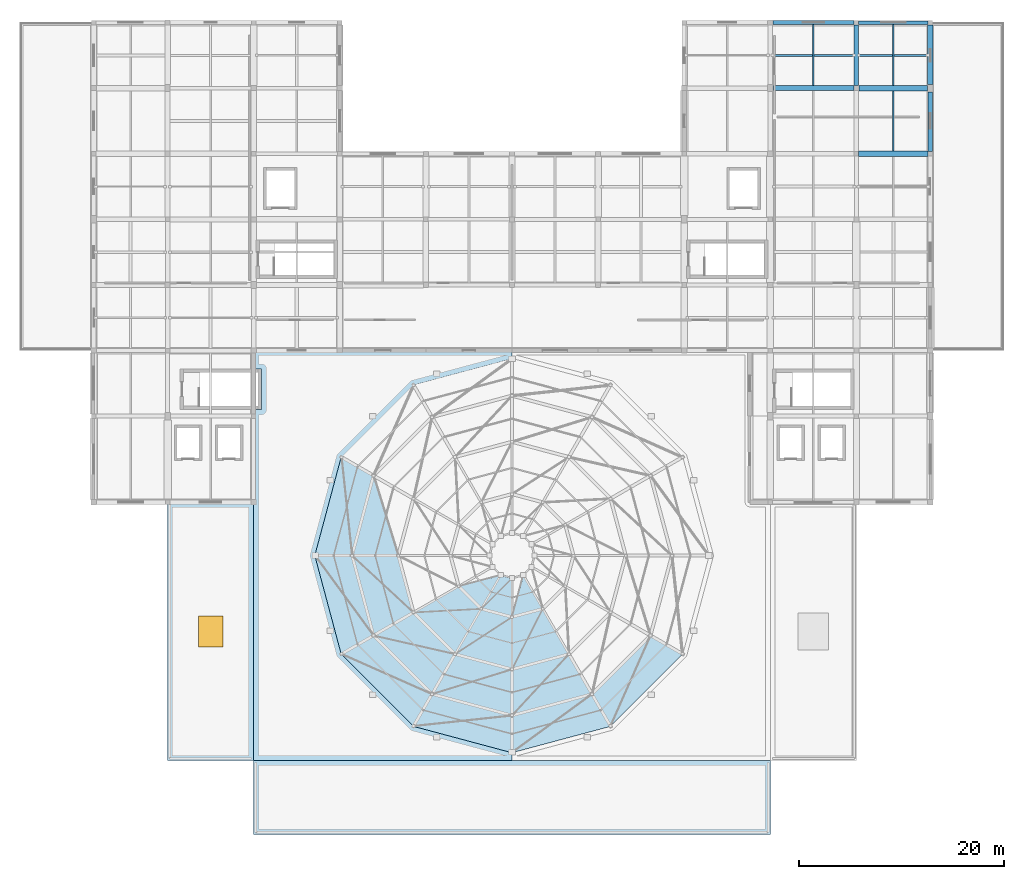
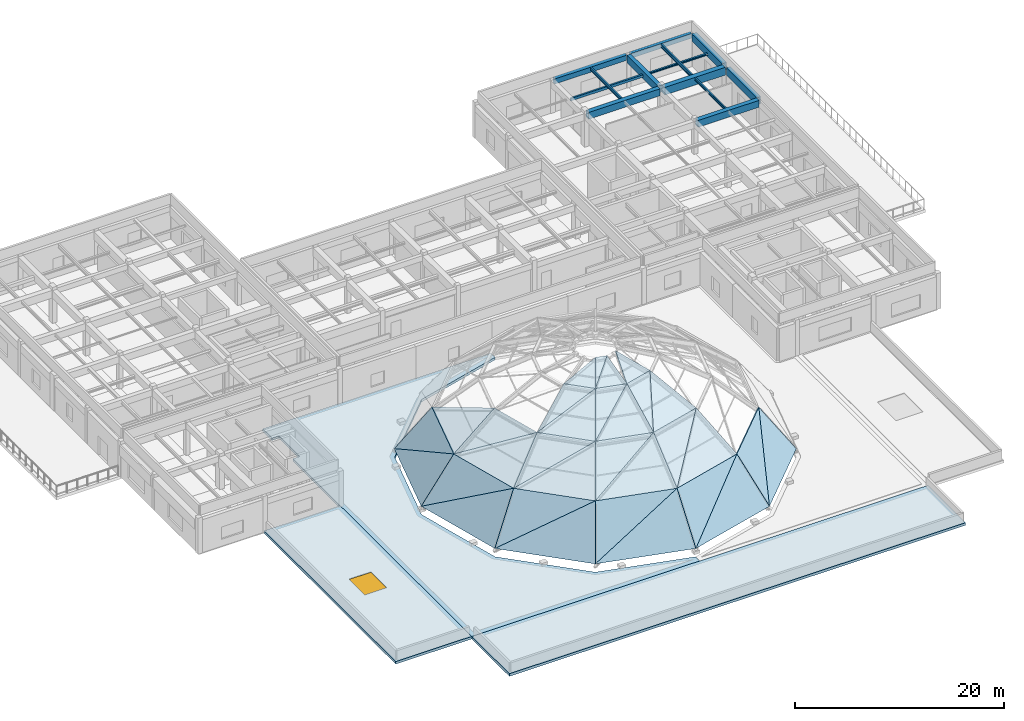
# One storey, part 8 of 18: 34 slabs, 11 beams, 2 members, 1 window, 1 opening.
"""IFC4 building model written with IfcOpenShell, lengths in metres."""

from ifc_helpers import new_model, si_unit, direction, frame, origin, origin_2d, place, context, subcontext, project, spatial, polyline, rectangle, hollow_rectangle, i_section, outline, extrude, material, layer, layer_set, material_profile, profile_set, type_object, element, fill, save


model = new_model("IFC4")

# Units and contexts
model_context = context("Model", 3, precision=1e-05, world=origin(), true_north=direction((0.0, 1.0)))
body_context = subcontext(model_context, "Body", "Model", "MODEL_VIEW")
ifc_project = project(units=[si_unit("LENGTHUNIT", "METRE"), si_unit("AREAUNIT", "SQUARE_METRE"), si_unit("VOLUMEUNIT", "CUBIC_METRE"), si_unit("PLANEANGLEUNIT", "RADIAN"), si_unit("MASSUNIT", "GRAM", prefix="KILO")], contexts=[model_context])

# Site, building, storey
site_placement = place(None, origin())
site = spatial("IfcSite", under=ifc_project, at=site_placement, CompositionType="ELEMENT")
building_placement = place(site_placement, origin())
building = spatial("IfcBuilding", under=site, at=building_placement, Name="Korsvaeld Concert Hall", CompositionType="ELEMENT")
storey_placement = place(building_placement, frame((0.0, 0.0, 17.39990234375)))
storey = spatial("IfcBuildingStorey", under=building, at=storey_placement, Name="L04", CompositionType="ELEMENT", Elevation=17.39990234375)

# Beams
ifc_material_1 = material(Name="Concrete C40/50", Category="concrete")
ifc_material_profile_1 = material_profile(ifc_material_1, rectangle(XDim=0.449951171875, YDim=0.85009765625, at=origin_2d()), Name="RC 450x850")
ifc_profile_set_1 = profile_set([ifc_material_profile_1], Name="Concrete C40/50")
beam_type_1 = type_object("IfcBeamType", Name="BM-RC-450x850", PredefinedType="T_BEAM", material=ifc_profile_set_1)
beam_1_placement = place(storey_placement, frame((117.60009765625, 109.050048828125, 3.4150390625), z_axis=(0.0, 1.0, 0.0), x_axis=(-1.0, 0.0, 0.0)))
element("IfcBeam", 1, at=beam_1_placement, inside=storey, type_object=beam_type_1, Name="Primary girder 16/R-S L04", PredefinedType="T_BEAM", context=body_context, shape_type="SweptSolid", body=[
    extrude(rectangle(XDim=0.449951171875, YDim=0.85009765625, at=origin_2d()), origin(), (0.0, 0.0, 1.0), 5.925048828125),
])
beam_2_placement = place(storey_placement, frame((124.800048828125, 102.625, 3.4150390625), z_axis=(0.0, 1.0, 0.0), x_axis=(-1.0, 0.0, 0.0)))
element("IfcBeam", 2, at=beam_2_placement, inside=storey, type_object=beam_type_1, Name="Primary girder 17/Q-R L04", PredefinedType="T_BEAM", context=body_context, shape_type="SweptSolid", body=[
    extrude(rectangle(XDim=0.449951171875, YDim=0.85009765625, at=origin_2d()), origin(), (0.0, 0.0, 1.0), 5.800048828125),
])
ifc_material_profile_2 = material_profile(ifc_material_1, rectangle(XDim=0.5, YDim=0.800048828125, at=origin_2d()), Name="RC 500x800")
ifc_profile_set_2 = profile_set([ifc_material_profile_2], Name="Concrete C40/50")
beam_type_2 = type_object("IfcBeamType", Name="BM-RC-500x800", PredefinedType="T_BEAM", material=ifc_profile_set_2)
beam_3_placement = place(storey_placement, frame((117.824951171875, 102.39990234375, 3.440185546875), z_axis=(1.0, 0.0, 0.0), x_axis=(0.0, 1.0, 0.0)))
element("IfcBeam", 3, at=beam_3_placement, inside=storey, type_object=beam_type_2, Name="Primary girder 16-17/Q L04", PredefinedType="T_BEAM", context=body_context, shape_type="SweptSolid", body=[
    extrude(rectangle(XDim=0.5, YDim=0.800048828125, at=origin_2d()), origin(), (0.0, 0.0, 1.0), 6.75),
])
beam_4_placement = place(storey_placement, frame((109.449951171875, 108.800048828125, 3.440185546875), z_axis=(1.0, 0.0, 0.0), x_axis=(0.0, 1.0, 0.0)))
element("IfcBeam", 4, at=beam_4_placement, inside=storey, type_object=beam_type_2, Name="Primary girder 15-16/R L04", PredefinedType="T_BEAM", context=body_context, shape_type="SweptSolid", body=[
    extrude(rectangle(XDim=0.5, YDim=0.800048828125, at=origin_2d()), origin(), (0.0, 0.0, 1.0), 7.900146484375),
])
ifc_material_profile_3 = material_profile(ifc_material_1, rectangle(XDim=0.5, YDim=0.85009765625, at=origin_2d()), Name="RC 500x850")
ifc_profile_set_3 = profile_set([ifc_material_profile_3], Name="Concrete C40/50")
beam_type_3 = type_object("IfcBeamType", Name="BM-RC-500x850", PredefinedType="T_BEAM", material=ifc_profile_set_3)
beam_5_placement = place(storey_placement, frame((124.800048828125, 109.175048828125, 3.4150390625), z_axis=(0.0, 1.0, 0.0), x_axis=(-1.0, 0.0, 0.0)))
element("IfcBeam", 5, at=beam_5_placement, inside=storey, type_object=beam_type_3, Name="Primary girder 17/R-S L04", PredefinedType="T_BEAM", context=body_context, shape_type="SweptSolid", body=[
    extrude(rectangle(XDim=0.5, YDim=0.85009765625, at=origin_2d()), origin(), (0.0, 0.0, 1.0), 5.800048828125),
])
ifc_material_profile_4 = material_profile(ifc_material_1, rectangle(XDim=0.550048828125, YDim=0.89990234375, at=origin_2d()), Name="RC 550x900")
ifc_profile_set_4 = profile_set([ifc_material_profile_4], Name="Concrete C40/50")
beam_type_4 = type_object("IfcBeamType", Name="BM-RC-550x900", PredefinedType="T_BEAM", material=ifc_profile_set_4)
beam_6_placement = place(storey_placement, frame((117.85009765625, 108.800048828125, 3.39013671875), z_axis=(1.0, 0.0, 0.0), x_axis=(0.0, 1.0, 0.0)))
element("IfcBeam", 6, at=beam_6_placement, inside=storey, type_object=beam_type_4, Name="Primary girder 16-17/R L04", PredefinedType="T_BEAM", context=body_context, shape_type="SweptSolid", body=[
    extrude(rectangle(XDim=0.550048828125, YDim=0.89990234375, at=origin_2d()), origin(), (0.0, 0.0, 1.0), 6.6748046875),
])
ifc_material_2 = material(Name="Concrete C35/45", Category="concrete")
ifc_material_profile_5 = material_profile(ifc_material_2, rectangle(XDim=0.35009765625, YDim=0.550048828125, at=origin_2d()), Name="RC 350x550")
ifc_profile_set_5 = profile_set([ifc_material_profile_5], Name="Concrete C35/45")
beam_type_5 = type_object("IfcBeamType", Name="BM-SP-350x550", PredefinedType="SPANDREL", material=ifc_profile_set_5)
beam_7_placement = place(storey_placement, frame((117.824951171875, 115.199951171875, 3.565185546875), z_axis=(1.0, 0.0, 0.0), x_axis=(0.0, 1.0, 0.0)))
element("IfcBeam", 7, at=beam_7_placement, inside=storey, type_object=beam_type_5, Name="Primary girder 16-17/S L04", PredefinedType="SPANDREL", context=body_context, shape_type="SweptSolid", body=[
    extrude(rectangle(XDim=0.35009765625, YDim=0.550048828125, at=origin_2d()), origin(), (0.0, 0.0, 1.0), 6.75),
])
ifc_material_profile_6 = material_profile(ifc_material_2, rectangle(XDim=0.39990234375, YDim=0.60009765625, at=origin_2d()), Name="RC 400x600")
ifc_profile_set_6 = profile_set([ifc_material_profile_6], Name="Concrete C35/45")
beam_type_6 = type_object("IfcBeamType", Name="BM-SP-400x600", PredefinedType="SPANDREL", material=ifc_profile_set_6)
beam_8_placement = place(storey_placement, frame((109.449951171875, 115.199951171875, 3.5400390625), z_axis=(1.0, 0.0, 0.0), x_axis=(0.0, 1.0, 0.0)))
element("IfcBeam", 8, at=beam_8_placement, inside=storey, type_object=beam_type_6, Name="Primary girder 15-16/S L04", PredefinedType="SPANDREL", context=body_context, shape_type="SweptSolid", body=[
    extrude(rectangle(XDim=0.39990234375, YDim=0.60009765625, at=origin_2d()), origin(), (0.0, 0.0, 1.0), 7.925048828125),
])
ifc_material_3 = material(Name="Steel S355J2", Category="steel")
ifc_material_profile_7 = material_profile(ifc_material_3, i_section(OverallWidth=0.159912109375, OverallDepth=0.330078125, WebThickness=0.007568359375, FlangeThickness=0.011474609375, FilletRadius=0.01806640625, at=origin_2d()), Name="IPE 330")
ifc_profile_set_7 = profile_set([ifc_material_profile_7], Name="Steel S355J2")
beam_type_7 = type_object("IfcBeamType", Name="BM-STL-IPE330", PredefinedType="BEAM", material=ifc_profile_set_7)
beam_9_placement = place(storey_placement, frame((121.199951171875, 102.64990234375, 3.675048828125), z_axis=(0.0, 1.0, 0.0), x_axis=(-1.0, 0.0, 0.0)))
element("IfcBeam", 9, at=beam_9_placement, inside=storey, type_object=beam_type_7, Name="Secondary steel floor beam 16-17/Q L04", PredefinedType="BEAM", context=body_context, shape_type="SweptSolid", body=[
    extrude(i_section(OverallWidth=0.159912109375, OverallDepth=0.330078125, WebThickness=0.007568359375, FlangeThickness=0.011474609375, FilletRadius=0.01806640625, at=origin_2d()), origin(), (0.0, 0.0, 1.0), 5.875),
])
ifc_material_profile_8 = material_profile(ifc_material_3, i_section(OverallWidth=0.169921875, OverallDepth=0.360107421875, WebThickness=0.008056640625, FlangeThickness=0.0126953125, FilletRadius=0.01806640625, at=origin_2d()), Name="IPE 360")
ifc_profile_set_8 = profile_set([ifc_material_profile_8], Name="Steel S355J2")
beam_type_8 = type_object("IfcBeamType", Name="BM-STL-IPE360", PredefinedType="BEAM", material=ifc_profile_set_8)
beam_10_placement = place(storey_placement, frame((113.39990234375, 109.050048828125, 3.66015625), z_axis=(0.0, 1.0, 0.0), x_axis=(-1.0, 0.0, 0.0)))
element("IfcBeam", 10, at=beam_10_placement, inside=storey, type_object=beam_type_8, Name="Secondary steel floor beam 15-16/R L04", PredefinedType="BEAM", context=body_context, shape_type="SweptSolid", body=[
    extrude(i_section(OverallWidth=0.169921875, OverallDepth=0.360107421875, WebThickness=0.008056640625, FlangeThickness=0.0126953125, FilletRadius=0.01806640625, at=origin_2d()), origin(), (0.0, 0.0, 1.0), 5.949951171875),
])
ifc_material_profile_9 = material_profile(ifc_material_3, i_section(OverallWidth=0.179931640625, OverallDepth=0.39990234375, WebThickness=0.008544921875, FlangeThickness=0.013427734375, FilletRadius=0.02099609375, at=origin_2d()), Name="IPE 400")
ifc_profile_set_9 = profile_set([ifc_material_profile_9], Name="Steel S355J2")
beam_type_9 = type_object("IfcBeamType", Name="BM-STL-IPE400", PredefinedType="BEAM", material=ifc_profile_set_9)
beam_11_placement = place(storey_placement, frame((121.199951171875, 109.074951171875, 3.64013671875), z_axis=(0.0, 1.0, 0.0), x_axis=(-1.0, 0.0, 0.0)))
element("IfcBeam", 11, at=beam_11_placement, inside=storey, type_object=beam_type_9, Name="Secondary steel floor beam 16-17/R L04", PredefinedType="BEAM", context=body_context, shape_type="SweptSolid", body=[
    extrude(i_section(OverallWidth=0.179931640625, OverallDepth=0.39990234375, WebThickness=0.008544921875, FlangeThickness=0.013427734375, FilletRadius=0.02099609375, at=origin_2d()), origin(), (0.0, 0.0, 1.0), 5.949951171875),
])

# Members
ifc_material_profile_10 = material_profile(ifc_material_3, i_section(OverallWidth=0.199951171875, OverallDepth=0.199951171875, WebThickness=0.009033203125, FlangeThickness=0.014892578125, FilletRadius=0.01806640625, at=origin_2d()), Name="HEB 200")
ifc_profile_set_10 = profile_set([ifc_material_profile_10], Name="Steel S355J2")
member_type_1 = type_object("IfcMemberType", Name="MEM-STR-HEB200", PredefinedType="STRUT", material=ifc_profile_set_10)
member_1_placement = place(storey_placement, frame((117.824951171875, 112.0, 3.300048828125), z_axis=(1.0, 0.0, 0.0), x_axis=(0.0, 1.0, 0.0)))
element("IfcMember", 12, at=member_1_placement, inside=storey, type_object=member_type_1, Name="Artists wing roof purlin tie 36", PredefinedType="STRUT", context=body_context, shape_type="SweptSolid", body=[
    extrude(i_section(OverallWidth=0.199951171875, OverallDepth=0.199951171875, WebThickness=0.009033203125, FlangeThickness=0.014892578125, FilletRadius=0.01806640625, at=origin_2d()), origin(), (0.0, 0.0, 1.0), 6.72509765625),
])
ifc_material_profile_11 = material_profile(ifc_material_3, hollow_rectangle(XDim=0.199951171875, YDim=0.300048828125, WallThickness=0.012451171875, at=origin_2d()), Name="RHS 300x200x12.5")
ifc_profile_set_11 = profile_set([ifc_material_profile_11], Name="Steel S355J2")
member_type_2 = type_object("IfcMemberType", Name="MEM-STR-RHS300", PredefinedType="STRUT", material=ifc_profile_set_11)
member_2_placement = place(storey_placement, frame((109.425048828125, 112.0, 3.2900390625), z_axis=(1.0, 0.0, 0.0), x_axis=(0.0, 1.0, 0.0)))
element("IfcMember", 13, at=member_2_placement, inside=storey, type_object=member_type_2, Name="Artists wing roof purlin tie 35", PredefinedType="STRUT", context=body_context, shape_type="SweptSolid", body=[
    extrude(hollow_rectangle(XDim=0.199951171875, YDim=0.300048828125, WallThickness=0.012451171875, at=origin_2d()), origin(), (0.0, 0.0, 1.0), 7.949951171875),
])

# Slabs
ifc_material_4 = material(Name="Precast concrete C40/50", Category="concrete")
ifc_layer_1 = layer(ifc_material_4, 0.159912109375)
ifc_layer_set_1 = layer_set([ifc_layer_1], Name="Precast concrete C40/50")
slab_type_1 = type_object("IfcSlabType", Name="SLB-DOME-160", PredefinedType="ROOF", material=ifc_layer_set_1)
slab_1_placement = place(storey_placement, frame((67.337646484375, 72.820068359375, 0.989990234375), z_axis=(-0.78500513704, 0.210336114021, 0.582688299144), x_axis=(-0.258812870324, -0.965927480795, 0.0)))
element("IfcSlab", 14, at=slab_1_placement, inside=storey, type_object=slab_type_1, Name="Main Hall dome copper roof facet T1.B06A", PredefinedType="ROOF", context=body_context, shape_type="SweptSolid", body=[
    extrude(outline(polyline([(0.0, 0.0), (9.959461117705175, 0.0), (9.027709509845689, 5.967913316306609), (0.0, 0.0)])), origin(), (0.0, 0.0, -1.0), 0.159912109375),
])
slab_2_placement = place(storey_placement, frame((67.337646484375, 72.820068359375, 0.989990234375), z_axis=(-0.785017256139, 0.210328060072, 0.58267487908), x_axis=(0.094479912859, -0.888941376863, 0.448170474895)))
element("IfcSlab", 15, at=slab_2_placement, inside=storey, type_object=slab_type_1, Name="Main Hall dome copper roof facet T1.B06B", PredefinedType="ROOF", context=body_context, shape_type="SweptSolid", body=[
    extrude(outline(polyline([(0.0, 0.0), (10.82199280840216, 0.0), (4.0683661897170325, 4.464518101895887), (0.0, 0.0)])), origin(), (0.0, 0.0, -1.0), 0.159912109375),
])
slab_3_placement = place(storey_placement, frame((70.455322265625, 71.02001953125, 5.840087890625), z_axis=(-0.635756825803, 0.170337019732, 0.75286025141), x_axis=(-0.25879989614, -0.965930957035, 0.0)))
element("IfcSlab", 16, at=slab_3_placement, inside=storey, type_object=slab_type_1, Name="Main Hall dome copper roof facet T2.B06A", PredefinedType="ROOF", context=body_context, shape_type="SweptSolid", body=[
    extrude(outline(polyline([(0.0, 0.0), (8.095887498401169, 0.0), (6.931287965769695, 5.773567270304275), (0.0, 0.0)])), origin(), (0.0, 0.0, -1.0), 0.159912109375),
])
slab_4_placement = place(storey_placement, frame((64.760009765625, 63.199951171875, 0.989990234375), z_axis=(-0.785016527104, -0.210344504052, 0.582669925248), x_axis=(0.258818998687, -0.965925838726, 0.0)))
element("IfcSlab", 17, at=slab_4_placement, inside=storey, type_object=slab_type_1, Name="Main Hall dome copper roof facet T1.B07A", PredefinedType="ROOF", context=body_context, shape_type="SweptSolid", body=[
    extrude(outline(polyline([(0.0, 0.0), (9.959225295766753, 0.0), (9.02766116738455, 5.967816580627543), (0.0, 0.0)])), origin(), (0.0, 0.0, -1.0), 0.159912109375),
])
slab_5_placement = place(storey_placement, frame((64.760009765625, 63.199951171875, 0.989990234375), z_axis=(-0.785007002959, -0.210325312959, 0.582689684166), x_axis=(0.526276620104, -0.722615158546, 0.448174354209)))
element("IfcSlab", 18, at=slab_5_placement, inside=storey, type_object=slab_type_1, Name="Main Hall dome copper roof facet T1.B07B", PredefinedType="ROOF", context=body_context, shape_type="SweptSolid", body=[
    extrude(outline(polyline([(0.0, 0.0), (10.821899135231119, 1.3322676295501878e-15), (4.068336611518678, 4.464615059002871), (0.0, 0.0)])), origin(), (0.0, 0.0, -1.0), 0.159912109375),
])
slab_6_placement = place(storey_placement, frame((68.360107421875, 63.199951171875, 5.840087890625), z_axis=(-0.635752447803, -0.170335846744, 0.752864213804), x_axis=(0.25879989614, -0.965930957035, 0.0)))
element("IfcSlab", 19, at=slab_6_placement, inside=storey, type_object=slab_type_1, Name="Main Hall dome copper roof facet T2.B07A", PredefinedType="ROOF", context=body_context, shape_type="SweptSolid", body=[
    extrude(outline(polyline([(0.0, 0.0), (8.095887498401169, -2.220446049250313e-16), (6.931142147340937, 5.773607028986506), (0.0, 0.0)])), origin(), (0.0, 0.0, -1.0), 0.159912109375),
])
slab_7_placement = place(storey_placement, frame((68.360107421875, 63.199951171875, 5.840087890625), z_axis=(-0.635756150019, -0.170343078898, 0.752859451149), x_axis=(0.664288705232, -0.617467786101, 0.421252951596)))
element("IfcSlab", 20, at=slab_7_placement, inside=storey, type_object=slab_type_1, Name="Main Hall dome copper roof facet T2.B07B", PredefinedType="ROOF", context=body_context, shape_type="SweptSolid", body=[
    extrude(outline(polyline([(0.0, 0.0), (9.020824219094857, -2.220446049250313e-16), (4.590080958600185, 3.690735413116225), (0.0, 0.0)])), origin(), (0.0, 0.0, -1.0), 0.159912109375),
])
slab_8_placement = place(storey_placement, frame((67.337646484375, 53.580078125, 0.989990234375), z_axis=(-0.574668152632, -0.574648230697, 0.582697112836), x_axis=(0.707094524285, -0.707119037876, 0.0)))
element("IfcSlab", 21, at=slab_8_placement, inside=storey, type_object=slab_type_1, Name="Main Hall dome copper roof facet T1.B08A", PredefinedType="ROOF", context=body_context, shape_type="SweptSolid", body=[
    extrude(outline(polyline([(0.0, 0.0), (9.959398759658573, 0.0), (9.027462894141657, 5.967959721762888), (0.0, 0.0)])), origin(), (0.0, 0.0, -1.0), 0.159912109375),
])
slab_9_placement = place(storey_placement, frame((67.337646484375, 53.580078125, 0.989990234375), z_axis=(-0.574665518057, -0.574690027185, 0.582658489177), x_axis=(0.817079857398, -0.36265278888, 0.448177934924)))
element("IfcSlab", 22, at=slab_9_placement, inside=storey, type_object=slab_type_1, Name="Main Hall dome copper roof facet T1.B08B", PredefinedType="ROOF", context=body_context, shape_type="SweptSolid", body=[
    extrude(outline(polyline([(0.0, 0.0), (10.821812673747806, 0.0), (4.068392645149901, 4.464395563812834), (0.0, 0.0)])), origin(), (0.0, 0.0, -1.0), 0.159912109375),
])
slab_10_placement = place(storey_placement, frame((70.455322265625, 55.3798828125, 5.840087890625), z_axis=(-0.46539987424, -0.465419723256, 0.752852866277), x_axis=(0.707121859537, -0.707091702515, 0.0)))
element("IfcSlab", 23, at=slab_10_placement, inside=storey, type_object=slab_type_1, Name="Main Hall dome copper roof facet T2.B08A", PredefinedType="ROOF", context=body_context, shape_type="SweptSolid", body=[
    extrude(outline(polyline([(0.0, 0.0), (8.095647585762306, 0.0), (6.931154739559712, 5.77349317058896), (0.0, 0.0)])), origin(), (0.0, 0.0, -1.0), 0.159912109375),
])
slab_11_placement = place(storey_placement, frame((70.455322265625, 55.3798828125, 5.840087890625), z_axis=(-0.465400829153, -0.465400829153, 0.752863956135), x_axis=(0.884028448999, -0.202576320743, 0.421255902788)))
element("IfcSlab", 24, at=slab_11_placement, inside=storey, type_object=slab_type_1, Name="Main Hall dome copper roof facet T2.B08B", PredefinedType="ROOF", context=body_context, shape_type="SweptSolid", body=[
    extrude(outline(polyline([(0.0, 0.0), (9.020761021918185, 4.440892098500626e-16), (4.590246798414225, 3.690637368751741), (0.0, 0.0)])), origin(), (0.0, 0.0, -1.0), 0.159912109375),
])
slab_12_placement = place(storey_placement, frame((74.3525390625, 57.6298828125, 9.64013671875), z_axis=(-0.330036076349, -0.330036076349, 0.884393790467), x_axis=(0.707106781187, -0.707106781187, 0.0)))
element("IfcSlab", 25, at=slab_12_placement, inside=storey, type_object=slab_type_1, Name="Main Hall dome copper roof facet T3.B08A", PredefinedType="ROOF", context=body_context, shape_type="SweptSolid", body=[
    extrude(outline(polyline([(0.0, 0.0), (5.766303883103775, 0.0), (4.446348207090019, 5.570221508294132), (0.0, 0.0)])), origin(), (0.0, 0.0, -1.0), 0.159912109375),
])
slab_13_placement = place(storey_placement, frame((74.3525390625, 57.6298828125, 9.64013671875), z_axis=(-0.330036076349, -0.330036076349, 0.884393790467), x_axis=(0.929876431159, 0.047613948254, 0.36477765105)))
element("IfcSlab", 26, at=slab_13_placement, inside=storey, type_object=slab_type_1, Name="Main Hall dome copper roof facet T3.B08B", PredefinedType="ROOF", context=body_context, shape_type="SweptSolid", body=[
    extrude(outline(polyline([(0.0, 0.0), (7.127228074795642, 0.0), (5.1768162626116805, 2.4434041870437078), (0.0, 0.0)])), origin(), (0.0, 0.0, -1.0), 0.159912109375),
])
slab_14_placement = place(storey_placement, frame((78.769287109375, 60.179931640625, 12.239990234375), z_axis=(-0.180708162164, -0.180708162164, 0.966793214837), x_axis=(0.707106781187, -0.707106781187, 0.0)))
element("IfcSlab", 27, at=slab_14_placement, inside=storey, type_object=slab_type_1, Name="Main Hall dome copper roof facet T4.B08A", PredefinedType="ROOF", context=body_context, shape_type="SweptSolid", body=[
    extrude(outline(polyline([(0.0, 0.0), (3.126392531076264, 0.0), (2.14289952999722, 3.7964278259995616), (0.0, 0.0)])), origin(), (0.0, 0.0, -1.0), 0.159912109375),
])
slab_15_placement = place(storey_placement, frame((74.3798828125, 46.53759765625, 0.989990234375), z_axis=(-0.210336114021, -0.78500513704, 0.582688299144), x_axis=(0.965927480795, -0.258812870324, 0.0)))
element("IfcSlab", 28, at=slab_15_placement, inside=storey, type_object=slab_type_1, Name="Main Hall dome copper roof facet T1.B09A", PredefinedType="ROOF", context=body_context, shape_type="SweptSolid", body=[
    extrude(outline(polyline([(0.0, 0.0), (9.959461117705175, 0.0), (9.027709509845689, 5.967913316306609), (0.0, 0.0)])), origin(), (0.0, 0.0, -1.0), 0.159912109375),
])
slab_16_placement = place(storey_placement, frame((74.3798828125, 46.53759765625, 0.989990234375), z_axis=(-0.210345525683, -0.784990974387, 0.582703981414), x_axis=(0.888941376863, 0.094479912859, 0.448170474895)))
element("IfcSlab", 29, at=slab_16_placement, inside=storey, type_object=slab_type_1, Name="Main Hall dome copper roof facet T1.B09B", PredefinedType="ROOF", context=body_context, shape_type="SweptSolid", body=[
    extrude(outline(polyline([(0.0, 0.0), (10.821992808402157, 0.0), (4.068389256102008, 4.464667575402976), (0.0, 0.0)])), origin(), (0.0, 0.0, -1.0), 0.159912109375),
])
slab_17_placement = place(storey_placement, frame((76.179931640625, 49.655517578125, 5.840087890625), z_axis=(-0.170356291919, -0.635754676272, 0.752857705946), x_axis=(0.965923418169, -0.258828032161, 0.0)))
element("IfcSlab", 30, at=slab_17_placement, inside=storey, type_object=slab_type_1, Name="Main Hall dome copper roof facet T2.B09A", PredefinedType="ROOF", context=body_context, shape_type="SweptSolid", body=[
    extrude(outline(polyline([(0.0, 0.0), (8.09595068540415, 0.0), (6.931224540680013, 5.7735417296430995), (0.0, 0.0)])), origin(), (0.0, 0.0, -1.0), 0.159912109375),
])
slab_18_placement = place(storey_placement, frame((76.179931640625, 49.655517578125, 5.840087890625), z_axis=(-0.170346670245, -0.635769553678, 0.752847319549), x_axis=(0.866888603452, 0.266553833955, 0.421251946949)))
element("IfcSlab", 31, at=slab_18_placement, inside=storey, type_object=slab_type_1, Name="Main Hall dome copper roof facet T2.B09B", PredefinedType="ROOF", context=body_context, shape_type="SweptSolid", body=[
    extrude(outline(polyline([(0.0, 0.0), (9.020845732926327, -2.220446049250313e-16), (4.590030327457805, 3.6906488010527316), (0.0, 0.0)])), origin(), (0.0, 0.0, -1.0), 0.159912109375),
])
slab_19_placement = place(storey_placement, frame((78.429931640625, 53.552490234375, 9.64013671875), z_axis=(-0.120800135973, -0.450851480816, 0.884386945513), x_axis=(0.965928586903, -0.258808742132, 0.0)))
element("IfcSlab", 32, at=slab_19_placement, inside=storey, type_object=slab_type_1, Name="Main Hall dome copper roof facet T3.B09A", PredefinedType="ROOF", context=body_context, shape_type="SweptSolid", body=[
    extrude(outline(polyline([(0.0, 0.0), (5.7665426149512795, 0.0), (4.446655941515901, 5.5700667278613505), (0.0, 0.0)])), origin(), (0.0, 0.0, -1.0), 0.159912109375),
])
slab_20_placement = place(storey_placement, frame((78.429931640625, 53.552490234375, 9.64013671875), z_axis=(-0.120816952118, -0.450831281356, 0.884394945617), x_axis=(0.781511801839, 0.506141502694, 0.36477401612)))
element("IfcSlab", 33, at=slab_20_placement, inside=storey, type_object=slab_type_1, Name="Main Hall dome copper roof facet T3.B09B", PredefinedType="ROOF", context=body_context, shape_type="SweptSolid", body=[
    extrude(outline(polyline([(0.0, 0.0), (7.127299096786012, 1.1102230246251565e-16), (5.176751756132481, 2.443540851609147), (0.0, 0.0)])), origin(), (0.0, 0.0, -1.0), 0.159912109375),
])
slab_21_placement = place(storey_placement, frame((80.97998046875, 57.96923828125, 12.239990234375), z_axis=(-0.066149638843, -0.246838923826, 0.966796137231), x_axis=(0.965916680133, -0.258853176608, 0.0)))
element("IfcSlab", 34, at=slab_21_placement, inside=storey, type_object=slab_type_1, Name="Main Hall dome copper roof facet T4.B09A", PredefinedType="ROOF", context=body_context, shape_type="SweptSolid", body=[
    extrude(outline(polyline([(0.0, 0.0), (3.1265838900648917, 0.0), (2.142929179638857, 3.7965920705052976), (0.0, 0.0)])), origin(), (0.0, 0.0, -1.0), 0.159912109375),
])
slab_22_placement = place(storey_placement, frame((80.97998046875, 57.96923828125, 12.239990234375), z_axis=(-0.066127152475, -0.246860354398, 0.966792203698), x_axis=(0.692725946961, 0.686005889271, 0.222545910527)))
element("IfcSlab", 35, at=slab_22_placement, inside=storey, type_object=slab_type_1, Name="Main Hall dome copper roof facet T4.B09B", PredefinedType="ROOF", context=body_context, shape_type="SweptSolid", body=[
    extrude(outline(polyline([(0.0, 0.0), (4.359616590799169, -2.636779683484747e-16), (3.7895176145429756, 1.00979154792647), (0.0, 0.0)])), origin(), (0.0, 0.0, -1.0), 0.159912109375),
])
slab_23_placement = place(storey_placement, frame((84.0, 43.9599609375, 0.989990234375), z_axis=(0.210333504243, -0.784995396967, 0.582702362904), x_axis=(0.965927480795, 0.258812870324, 0.0)))
element("IfcSlab", 36, at=slab_23_placement, inside=storey, type_object=slab_type_1, Name="Main Hall dome copper roof facet T1.B10A", PredefinedType="ROOF", context=body_context, shape_type="SweptSolid", body=[
    extrude(outline(polyline([(0.0, 0.0), (9.959461117705175, 0.0), (9.027702292266268, 5.967987365036696), (0.0, 0.0)])), origin(), (0.0, 0.0, -1.0), 0.159912109375),
])
slab_24_placement = place(storey_placement, frame((84.0, 43.9599609375, 0.989990234375), z_axis=(0.210348736363, -0.785002956361, 0.582686680485), x_axis=(0.722606579099, 0.526292931342, 0.448169033136)))
element("IfcSlab", 37, at=slab_24_placement, inside=storey, type_object=slab_type_1, Name="Main Hall dome copper roof facet T1.B10B", PredefinedType="ROOF", context=body_context, shape_type="SweptSolid", body=[
    extrude(outline(polyline([(0.0, 0.0), (10.822027622725201, 4.440892098500626e-16), (4.068369525841942, 4.4645850659270785), (0.0, 0.0)])), origin(), (0.0, 0.0, -1.0), 0.159912109375),
])
slab_25_placement = place(storey_placement, frame((84.0, 47.56005859375, 5.840087890625), z_axis=(0.170358850135, -0.635764223311, 0.752849064911), x_axis=(0.965923418169, 0.258828032161, 0.0)))
element("IfcSlab", 38, at=slab_25_placement, inside=storey, type_object=slab_type_1, Name="Main Hall dome copper roof facet T2.B10A", PredefinedType="ROOF", context=body_context, shape_type="SweptSolid", body=[
    extrude(outline(polyline([(0.0, 0.0), (8.09595068540415, 0.0), (6.931268758525505, 5.773455030473228), (0.0, 0.0)])), origin(), (0.0, 0.0, -1.0), 0.159912109375),
])
slab_26_placement = place(storey_placement, frame((84.0, 47.56005859375, 5.840087890625), z_axis=(0.170343078898, -0.635756150019, 0.752859451149), x_axis=(0.617467786101, 0.664288705232, 0.421252951596)))
element("IfcSlab", 39, at=slab_26_placement, inside=storey, type_object=slab_type_1, Name="Main Hall dome copper roof facet T2.B10B", PredefinedType="ROOF", context=body_context, shape_type="SweptSolid", body=[
    extrude(outline(polyline([(0.0, 0.0), (9.020824219094857, -2.220446049250313e-16), (4.590080958600185, 3.690735413116225), (0.0, 0.0)])), origin(), (0.0, 0.0, -1.0), 0.159912109375),
])
slab_27_placement = place(storey_placement, frame((84.0, 52.06005859375, 9.64013671875), z_axis=(0.120797377374, -0.450841185144, 0.884392570863), x_axis=(0.965928586903, 0.258808742132, 0.0)))
element("IfcSlab", 40, at=slab_27_placement, inside=storey, type_object=slab_type_1, Name="Main Hall dome copper roof facet T3.B10A", PredefinedType="ROOF", context=body_context, shape_type="SweptSolid", body=[
    extrude(outline(polyline([(0.0, 0.0), (5.7665426149512795, -2.220446049250313e-16), (4.446470560192042, 5.57019392915069), (0.0, 0.0)])), origin(), (0.0, 0.0, -1.0), 0.159912109375),
])
slab_28_placement = place(storey_placement, frame((84.0, 52.06005859375, 9.64013671875), z_axis=(0.120822040838, -0.450850270035, 0.884384570454), x_axis=(0.423726628226, 0.829092911042, 0.364774847533)))
element("IfcSlab", 41, at=slab_28_placement, inside=storey, type_object=slab_type_1, Name="Main Hall dome copper roof facet T3.B10B", PredefinedType="ROOF", context=body_context, shape_type="SweptSolid", body=[
    extrude(outline(polyline([(0.0, 0.0), (7.127282851900979, -4.440892098500626e-16), (5.176613566925264, 2.4434435050284353), (0.0, 0.0)])), origin(), (0.0, 0.0, -1.0), 0.159912109375),
])
slab_29_placement = place(storey_placement, frame((84.0, 57.159912109375, 12.239990234375), z_axis=(0.066151723028, -0.246846701013, 0.966794008949), x_axis=(0.965916680133, 0.258853176608, 0.0)))
element("IfcSlab", 42, at=slab_29_placement, inside=storey, type_object=slab_type_1, Name="Main Hall dome copper roof facet T4.B10A", PredefinedType="ROOF", context=body_context, shape_type="SweptSolid", body=[
    extrude(outline(polyline([(0.0, 0.0), (3.1265838900648917, -1.1102230246251565e-16), (2.1432631778340707, 3.7964724545415964), (0.0, 0.0)])), origin(), (0.0, 0.0, -1.0), 0.159912109375),
])
slab_30_placement = place(storey_placement, frame((93.6201171875, 46.53759765625, 0.989990234375), z_axis=(0.574685712653, -0.574665790109, 0.582662476354), x_axis=(0.707094524285, 0.707119037876, 0.0)))
element("IfcSlab", 43, at=slab_30_placement, inside=storey, type_object=slab_type_1, Name="Main Hall dome copper roof facet T1.B11A", PredefinedType="ROOF", context=body_context, shape_type="SweptSolid", body=[
    extrude(outline(polyline([(0.0, 0.0), (9.959398759658573, 0.0), (9.027583445229999, 5.967777365577398), (0.0, 0.0)])), origin(), (0.0, 0.0, -1.0), 0.159912109375),
])
slab_31_placement = place(storey_placement, frame((93.6201171875, 46.53759765625, 0.989990234375), z_axis=(0.574643916266, -0.574668424473, 0.582701099546), x_axis=(0.36265278888, 0.817079857398, 0.448177934924)))
element("IfcSlab", 44, at=slab_31_placement, inside=storey, type_object=slab_type_1, Name="Main Hall dome copper roof facet T1.B11B", PredefinedType="ROOF", context=body_context, shape_type="SweptSolid", body=[
    extrude(outline(polyline([(0.0, 0.0), (10.821812673747806, 0.0), (4.068503589258426, 4.464563387635151), (0.0, 0.0)])), origin(), (0.0, 0.0, -1.0), 0.159912109375),
])

# Slab, opening, window
ifc_layer_2 = layer(ifc_material_2, 0.300048828125)
ifc_layer_set_2 = layer_set([ifc_layer_2], Name="Concrete C35/45")
slab_type_2 = type_object("IfcSlabType", Name="SLB-FLATROOF-300", PredefinedType="ROOF", material=ifc_layer_set_2)
slab_32_placement = place(storey_placement, frame((0.0, 0.0, -0.2998046875)))
slab_32 = element("IfcSlab", 45, at=slab_32_placement, inside=storey, type_object=slab_type_2, Name="Flat acoustic roof ROOF_L04_V1W", PredefinedType="ROOF", context=body_context, shape_type="SweptSolid", body=[
    extrude(outline(polyline([(50.39990234375, 68.39990234375), (58.800048828125, 68.39990234375), (58.800048828125, 43.199951171875), (50.39990234375, 43.199951171875), (50.39990234375, 68.39990234375)])), origin(), (0.0, 0.0, 1.0), 0.2998046875),
])
opening_placement = place(slab_32_placement, frame((54.60009765625, 55.800048828125, -0.010009765625)))
opening = element("IfcOpeningElement", 46, at=opening_placement, cuts=slab_32, Name="Opening SK-03", PredefinedType="OPENING", context=body_context, shape_type="SweptSolid", body=[
    extrude(rectangle(XDim=2.39990234375, YDim=3.0, at=origin_2d()), origin(), (0.0, 0.0, 1.0), 0.31982421875),
])
ifc_material_5 = material(Name="Anodised bronze frame with acoustic triple glazing", Category="glass")
window_type = type_object("IfcWindowType", Name="SKY-LIGHT-240x300", PartitioningType="TRIPLE_PANEL_VERTICAL", PredefinedType="SKYLIGHT", material=ifc_material_5)
window_placement = place(slab_32_placement, frame((54.60009765625, 55.800048828125, 0.249755859375)))
window = element("IfcWindow", 47, at=window_placement, inside=storey, type_object=window_type, Name="Acoustic skylight / roof hatch SLB-ROOF_L04_V1W", OverallHeight=3.0, OverallWidth=2.39990234375, PartitioningType="SINGLE_PANEL", PredefinedType="SKYLIGHT", context=body_context, shape_type="SweptSolid", body=[
    extrude(rectangle(XDim=2.39990234375, YDim=3.0, at=origin_2d()), origin(), (0.0, 0.0, 1.0), 0.050048828125),
])
fill(opening, window)

# Slabs
slab_33_placement = place(storey_placement, frame((0.0, 0.0, -0.2998046875)))
element("IfcSlab", 48, at=slab_33_placement, inside=storey, type_object=slab_type_2, Name="Flat acoustic roof ROOF_L04_BELV", PredefinedType="ROOF", context=body_context, shape_type="SweptSolid", body=[
    extrude(outline(polyline([(109.199951171875, 36.0), (58.800048828125, 36.0), (58.800048828125, 43.199951171875), (109.199951171875, 43.199951171875), (109.199951171875, 36.0)])), origin(), (0.0, 0.0, 1.0), 0.2998046875),
])
slab_34_placement = place(storey_placement, frame((0.0, 0.0, -0.2998046875)))
element("IfcSlab", 49, at=slab_34_placement, inside=storey, type_object=slab_type_2, Name="Flat acoustic roof ROOF_L04_V1CW", PredefinedType="ROOF", context=body_context, shape_type="SweptSolid", body=[
    extrude(outline(polyline([(58.800048828125, 77.429931640625), (59.570068359375, 77.429931640625), (59.570068359375, 81.409912109375), (58.800048828125, 81.409912109375), (58.800048828125, 83.199951171875), (67.199951171875, 83.199951171875), (84.0, 83.199951171875), (84.0, 82.39990234375), (74.39990234375, 79.82763671875), (67.372314453125, 72.800048828125), (64.800048828125, 63.199951171875), (67.372314453125, 53.60009765625), (74.39990234375, 46.572265625), (84.0, 44.0), (84.0, 43.199951171875), (58.800048828125, 43.199951171875), (58.800048828125, 68.39990234375), (58.800048828125, 77.429931640625)])), origin(), (0.0, 0.0, 1.0), 0.2998046875),
])

save(model, "model.ifc")
